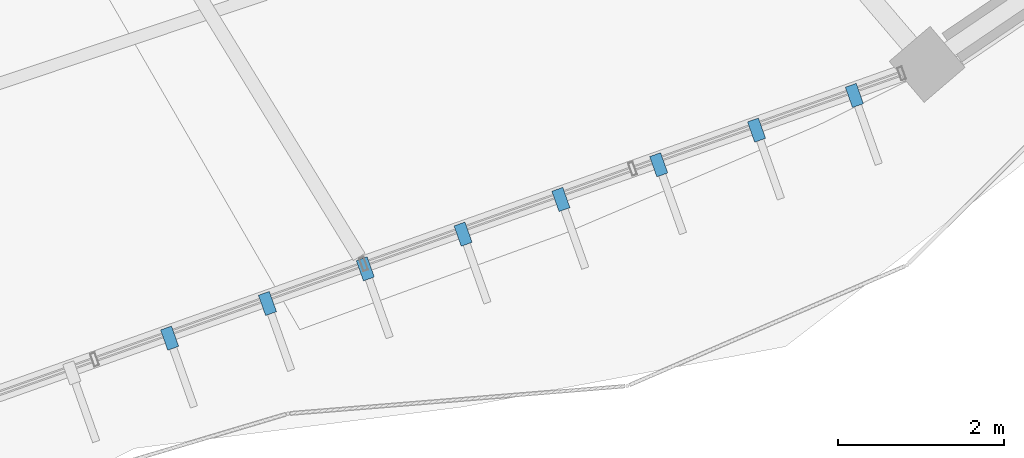
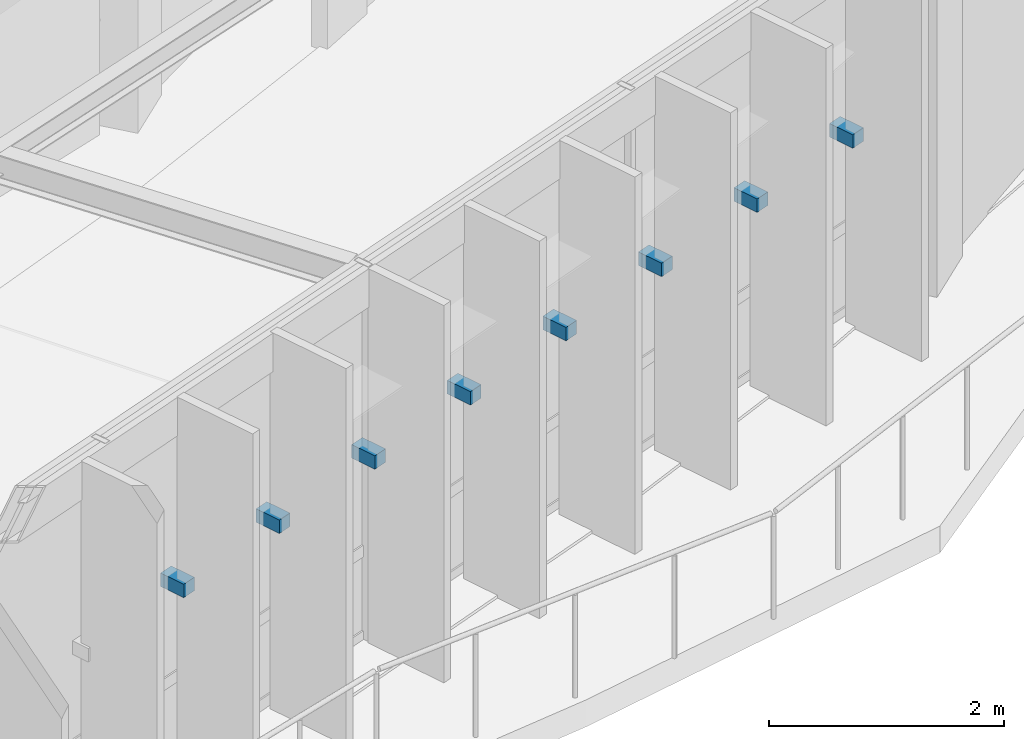
# One storey, part 101 of 114: 8 discrete accessories.
"""IFC4 building model written with IfcOpenShell, lengths in metres."""

import ifcopenshell
import ifcopenshell.guid

model = None  # the IFC model being written
_history = None  # IfcOwnerHistory: only IFC2X3 demands one
_inside = {}  # id of a spatial element -> (the spatial element, [elements in it])
_under = {}  # id of a project, library or spatial element -> (it, [spatial elements below it])
_declared = {}  # id of a project -> (the project, [libraries it declares])
_typed = {}  # id of a type object -> (the type object, [elements of that type])
_made_of = {}  # id of a material, layer set ... -> (it, [elements and type objects made of it])


def new_model(schema):
    """Start an empty IFC model of exactly this schema.

    Asked for "IFC4X3", IfcOpenShell would pick the latest addendum, in which some entities
    have other attributes; the version numbers below select the first issue.
    IFC2X3 requires an IfcOwnerHistory on every rooted entity: one is made here for all.
    """
    global model, _history
    if schema == "IFC4X3":
        model = ifcopenshell.file(schema_version=(4, 3, 0, 0))
    else:
        model = ifcopenshell.file(schema=schema)
    _inside.clear()
    _under.clear()
    _declared.clear()
    _typed.clear()
    _made_of.clear()
    _history = None
    if model.schema == "IFC2X3":
        org = make("IfcOrganization", Name="unknown")
        user = make(
            "IfcPersonAndOrganization",
            ThePerson=make("IfcPerson", FamilyName="unknown"),
            TheOrganization=org,
        )
        app = make(
            "IfcApplication",
            ApplicationDeveloper=org,
            Version="unknown",
            ApplicationFullName="unknown",
            ApplicationIdentifier="unknown",
        )
        _history = make(
            "IfcOwnerHistory",
            OwningUser=user,
            OwningApplication=app,
            ChangeAction="ADDED",
            CreationDate=0,
        )
    return model


def make(cls, **values):
    """One entity of the class cls with the attributes given. An attribute that is None is left unset."""
    return model.create_entity(
        cls, **{name: value for name, value in values.items() if value is not None}
    )


def rooted(cls, **values):
    """An entity with a GlobalId (a new one), such as an element, a storey or a relation."""
    return make(cls, GlobalId=ifcopenshell.guid.new(), OwnerHistory=_history, **values)


def si_unit(unit_type, name, prefix=None):
    """IfcSIUnit, for example si_unit("LENGTHUNIT", "METRE", prefix="MILLI")."""
    return make("IfcSIUnit", UnitType=unit_type, Prefix=prefix, Name=name)


def assignment(units):
    """IfcUnitAssignment: the units of a project."""
    return None if units is None else make("IfcUnitAssignment", Units=units)


def point(xyz):
    """IfcCartesianPoint."""
    return None if xyz is None else make("IfcCartesianPoint", Coordinates=xyz)


def direction(xyz):
    """IfcDirection."""
    return None if xyz is None else make("IfcDirection", DirectionRatios=xyz)


def frame(location, z_axis=None, x_axis=None):
    """IfcAxis2Placement3D, a coordinate frame: its origin and axes. An axis left out is left unset."""
    return make(
        "IfcAxis2Placement3D",
        Location=point(location),
        Axis=direction(z_axis),
        RefDirection=direction(x_axis),
    )


def frame_2d(location, x_axis=None):
    """IfcAxis2Placement2D, a coordinate frame in the plane: its origin and x axis."""
    return make(
        "IfcAxis2Placement2D", Location=point(location), RefDirection=direction(x_axis)
    )


def origin():
    """The frame at (0, 0, 0) with its axes left unset."""
    return frame((0.0, 0.0, 0.0))


def origin_2d():
    """The frame at (0, 0) in the plane with its x axis left unset."""
    return frame_2d((0.0, 0.0))


def place(relative_to, where):
    """IfcLocalPlacement: puts the frame where relative to a parent placement (None: the world)."""
    return make(
        "IfcLocalPlacement", PlacementRelTo=relative_to, RelativePlacement=where
    )


def context(
    kind, dimensions, precision=None, world=None, true_north=None, identifier=None
):
    """IfcGeometricRepresentationContext, for example the 3D "Model" context."""
    return make(
        "IfcGeometricRepresentationContext",
        ContextIdentifier=identifier,
        ContextType=kind,
        CoordinateSpaceDimension=dimensions,
        Precision=precision,
        WorldCoordinateSystem=world,
        TrueNorth=true_north,
    )


def subcontext(parent, identifier, kind, view, scale=None):
    """IfcGeometricRepresentationSubContext, for example "Body" below "Model"."""
    return make(
        "IfcGeometricRepresentationSubContext",
        ContextIdentifier=identifier,
        ContextType=kind,
        ParentContext=parent,
        TargetScale=scale,
        TargetView=view,
    )


def project(units=None, contexts=None):
    """IfcProject with its units and contexts."""
    return rooted(
        "IfcProject",
        Name="project",
        RepresentationContexts=contexts,
        UnitsInContext=assignment(units),
    )


def spatial(cls, under=None, at=None, **own):
    """A site, building, storey or space (cls), placed at a placement, below another one or the project."""
    s = rooted(cls, ObjectPlacement=at, **own)
    if under is not None:
        _under.setdefault(under.id(), (under, []))[1].append(s)
    return s


def profile(cls, at=None, kind="AREA", **sizes):
    """A parametric profile (cls). Its sizes go by their IFC names, for example OverallWidth=200.0."""
    return make(cls, ProfileType=kind, Position=at, **sizes)


def rectangle(**sizes):
    """IfcRectangleProfileDef."""
    return profile("IfcRectangleProfileDef", **sizes)


def extrude(swept, where, along, depth):
    """IfcExtrudedAreaSolid: the profile swept, set in the frame where, extruded along a direction by depth."""
    return make(
        "IfcExtrudedAreaSolid",
        SweptArea=swept,
        Position=where,
        ExtrudedDirection=direction(along),
        Depth=depth,
    )


def shape(context_of_items, identifier, shape_type, items):
    """IfcShapeRepresentation: the items that make up one representation, for example the "Body"."""
    return make(
        "IfcShapeRepresentation",
        ContextOfItems=context_of_items,
        RepresentationIdentifier=identifier,
        RepresentationType=shape_type,
        Items=items,
    )


def material(Name=None, Category=None):
    """IfcMaterial."""
    return make("IfcMaterial", Name=Name, Category=Category)


def made_of(thing, what):
    """Note that an element or type object is made of a material, layer set ...; save() writes the relation."""
    if what is not None:
        _made_of.setdefault(what.id(), (what, []))[1].append(thing)
    return thing


def type_object(cls, material=None, **own):
    """A type object (cls), such as IfcWallType, which elements share."""
    return made_of(rooted(cls, **own), material)


def element(
    cls,
    number,
    at=None,
    inside=None,
    cuts=None,
    type_object=None,
    material=None,
    context=None,
    identifier="Body",
    shape_type=None,
    held_by="IfcProductDefinitionShape",
    body=None,
    shapes=None,
    **own,
):
    """One element of the class cls, such as IfcWall. Its Tag is "e" and its number.

    at: its placement. inside: the storey or other place that contains it. cuts: it is an
    opening in that element (IfcRelVoidsElement). A single representation is given by context,
    identifier, shape_type and body (its items); several are given by shapes. held_by: the class
    of the entity that holds the representations. save() writes the other relations.
    """
    e = rooted(cls, Tag="e%d" % number, ObjectPlacement=at, **own)
    if body is not None:
        shapes = [shape(context, identifier, shape_type, body)]
    if shapes is not None:
        e.Representation = make(held_by, Representations=shapes)
    if inside is not None:
        _inside.setdefault(inside.id(), (inside, []))[1].append(e)
    if cuts is not None:
        rooted(
            "IfcRelVoidsElement", RelatingBuildingElement=cuts, RelatedOpeningElement=e
        )
    if type_object is not None:
        _typed.setdefault(type_object.id(), (type_object, []))[1].append(e)
    return made_of(e, material)


def aggregate(whole, parts):
    """IfcRelAggregates: a whole, such as a stair, and the parts it consists of."""
    return rooted("IfcRelAggregates", RelatingObject=whole, RelatedObjects=parts)


def save(model, path):
    """Write the relations noted so far, then the file.

    IfcRelAggregates (storeys below a building ...), IfcRelContainedInSpatialStructure (elements
    in a storey), IfcRelDefinesByType, IfcRelAssociatesMaterial and IfcRelDeclares: one each for
    every whole, place, type object, material and project.
    """
    for whole, parts in _under.values():
        aggregate(whole, parts)
    for where, things in _inside.values():
        rooted(
            "IfcRelContainedInSpatialStructure",
            RelatedElements=things,
            RelatingStructure=where,
        )
    for kind, things in _typed.values():
        rooted("IfcRelDefinesByType", RelatedObjects=things, RelatingType=kind)
    for what, things in _made_of.values():
        rooted("IfcRelAssociatesMaterial", RelatedObjects=things, RelatingMaterial=what)
    for by, libraries in _declared.values():
        rooted("IfcRelDeclares", RelatingContext=by, RelatedDefinitions=libraries)
    model.write(path)


model = new_model("IFC4")

# Units and contexts
model_context = context("Model", 3, precision=1e-05, world=origin(), true_north=direction((0.0, 1.0)))
body_context = subcontext(model_context, "Body", "Model", "MODEL_VIEW")
ifc_project = project(units=[si_unit("LENGTHUNIT", "METRE"), si_unit("AREAUNIT", "SQUARE_METRE"), si_unit("VOLUMEUNIT", "CUBIC_METRE"), si_unit("PLANEANGLEUNIT", "RADIAN"), si_unit("MASSUNIT", "GRAM", prefix="KILO"), si_unit("THERMODYNAMICTEMPERATUREUNIT", "KELVIN"), si_unit("POWERUNIT", "WATT")], contexts=[model_context])

# Site, building, storey
site_placement = place(None, origin())
site = spatial("IfcSite", under=ifc_project, at=site_placement, CompositionType="ELEMENT")
building_placement = place(site_placement, origin())
building = spatial("IfcBuilding", under=site, at=building_placement, Name="Darbajah Civic Hall", CompositionType="ELEMENT")
storey_placement = place(building_placement, frame((0.0, 0.0, 13.800048828125)))
storey = spatial("IfcBuildingStorey", under=building, at=storey_placement, Name="L03", CompositionType="ELEMENT", Elevation=13.800048828125)

# Discrete accessories
ifc_material = material(Name="Stainless Steel S355JR", Category="steel")
discrete_accessory_type = type_object("IfcDiscreteAccessoryType", Name="Stainless Facade Support Bracket", PredefinedType="BRACKET", material=ifc_material)
for number, where, z_axis, x_axis, name in (
    (1, (113.077880859375, 64.063232421875, 1.89013671875), (0.0, 0.0, 1.0), (0.334135882844, -0.94252491309, 0.0), "L03 shading fin bracket 16-4"),
    (2, (114.2587890625, 64.481689453125, 1.89013671875), (0.0, 0.0, 1.0), (0.334135882844, -0.94252491309, 0.0), "L03 shading fin bracket 16-5"),
    (3, (115.439453125, 64.900146484375, 1.89013671875), (0.0, 0.0, 1.0), (0.334135882844, -0.94252491309, 0.0), "L03 shading fin bracket 16-6"),
    (4, (116.6201171875, 65.31884765625, 1.89013671875), (0.0, 0.0, 1.0), (0.334135882844, -0.94252491309, 0.0), "L03 shading fin bracket 16-7"),
    (5, (117.801025390625, 65.7373046875, 1.89013671875), (0.0, 0.0, 1.0), (0.334135882844, -0.94252491309, 0.0), "L03 shading fin bracket 16-8"),
    (6, (118.981689453125, 66.156005859375, 1.89013671875), (0.0, 0.0, 1.0), (0.334135882844, -0.94252491309, 0.0), "L03 shading fin bracket 16-9"),
    (7, (120.16259765625, 66.574462890625, 1.89013671875), (0.0, 0.0, 1.0), (0.334135882844, -0.94252491309, 0.0), "L03 shading fin bracket 16-10"),
    (8, (121.343505859375, 66.992919921875, 1.89013671875), (0.0, 0.0, 1.0), (0.334135882844, -0.94252491309, 0.0), "L03 shading fin bracket 16-11"),
):
    element("IfcDiscreteAccessory", number, at=place(storey_placement, frame(where, z_axis=z_axis, x_axis=x_axis)), inside=storey, type_object=discrete_accessory_type, Name=name, PredefinedType="BRACKET", context=body_context, shape_type="SweptSolid", body=[
        extrude(rectangle(XDim=0.260009765625, YDim=0.139892578125, at=origin_2d()), origin(), (0.0, 0.0, 1.0), 0.139892578125),
    ])

save(model, "model.ifc")
